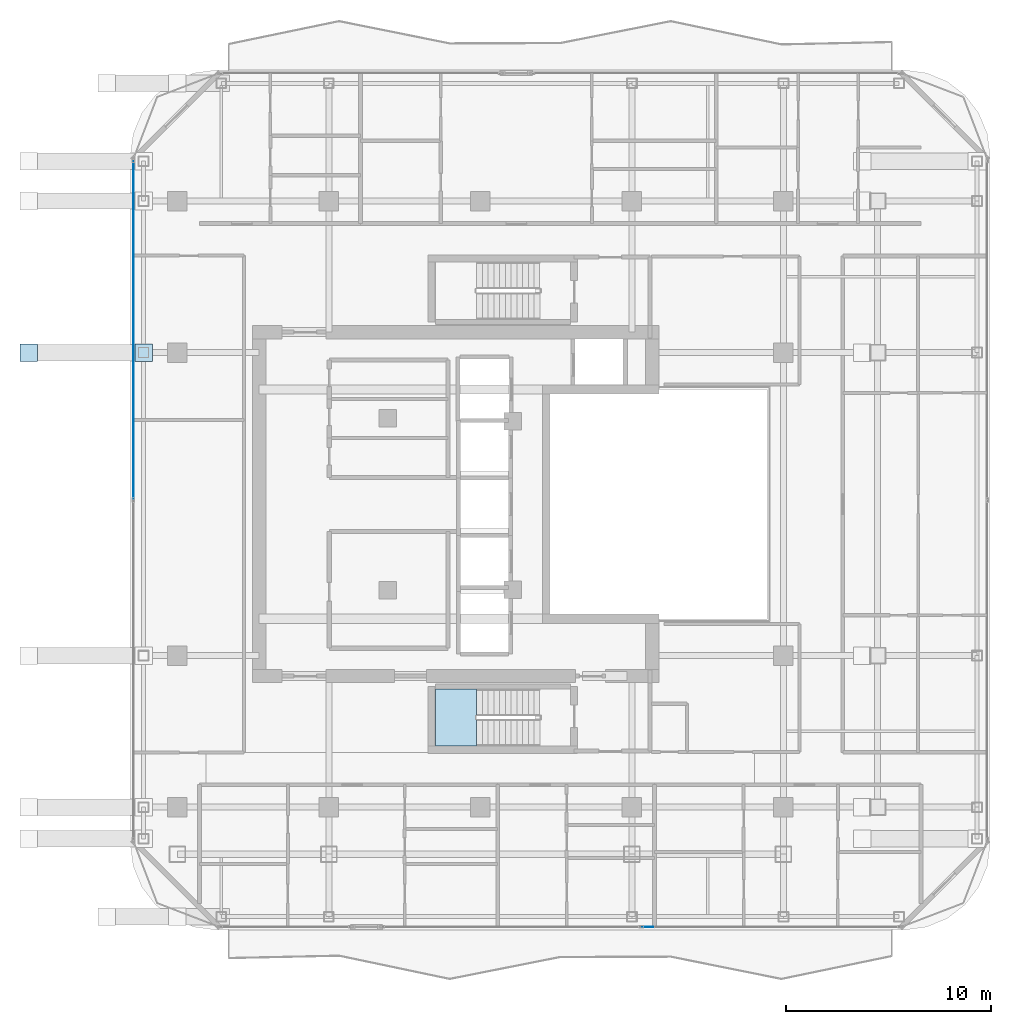
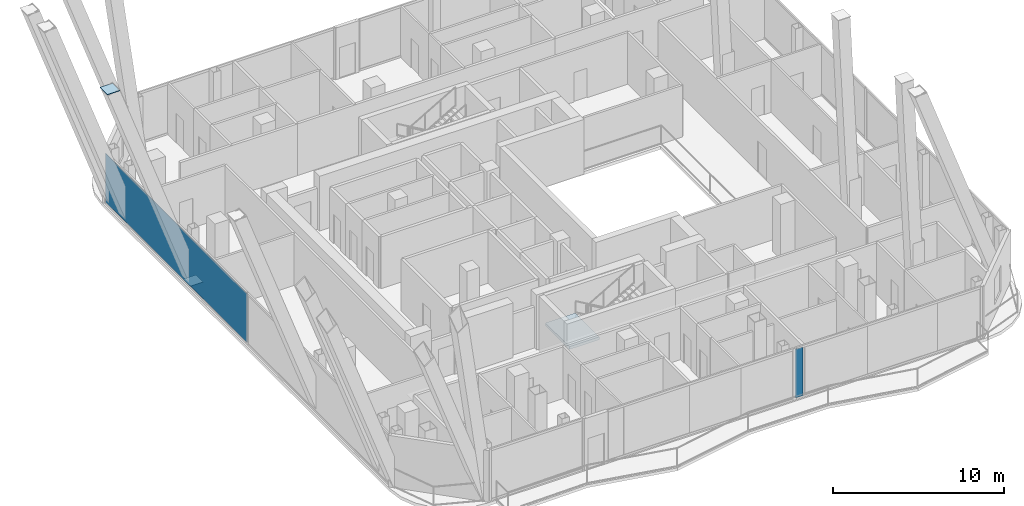
# One storey, part 19 of 27: 4 plates, 1 slab, 3 elements without a shape of their own.
"""IFC4 building model written with IfcOpenShell, lengths in metres."""

import ifcopenshell
import ifcopenshell.guid

model = None  # the IFC model being written
_history = None  # IfcOwnerHistory: only IFC2X3 demands one
_inside = {}  # id of a spatial element -> (the spatial element, [elements in it])
_under = {}  # id of a project, library or spatial element -> (it, [spatial elements below it])
_declared = {}  # id of a project -> (the project, [libraries it declares])
_typed = {}  # id of a type object -> (the type object, [elements of that type])
_made_of = {}  # id of a material, layer set ... -> (it, [elements and type objects made of it])


def new_model(schema):
    """Start an empty IFC model of exactly this schema.

    Asked for "IFC4X3", IfcOpenShell would pick the latest addendum, in which some entities
    have other attributes; the version numbers below select the first issue.
    IFC2X3 requires an IfcOwnerHistory on every rooted entity: one is made here for all.
    """
    global model, _history
    if schema == "IFC4X3":
        model = ifcopenshell.file(schema_version=(4, 3, 0, 0))
    else:
        model = ifcopenshell.file(schema=schema)
    _inside.clear()
    _under.clear()
    _declared.clear()
    _typed.clear()
    _made_of.clear()
    _history = None
    if model.schema == "IFC2X3":
        org = make("IfcOrganization", Name="unknown")
        user = make(
            "IfcPersonAndOrganization",
            ThePerson=make("IfcPerson", FamilyName="unknown"),
            TheOrganization=org,
        )
        app = make(
            "IfcApplication",
            ApplicationDeveloper=org,
            Version="unknown",
            ApplicationFullName="unknown",
            ApplicationIdentifier="unknown",
        )
        _history = make(
            "IfcOwnerHistory",
            OwningUser=user,
            OwningApplication=app,
            ChangeAction="ADDED",
            CreationDate=0,
        )
    return model


def make(cls, **values):
    """One entity of the class cls with the attributes given. An attribute that is None is left unset."""
    return model.create_entity(
        cls, **{name: value for name, value in values.items() if value is not None}
    )


def rooted(cls, **values):
    """An entity with a GlobalId (a new one), such as an element, a storey or a relation."""
    return make(cls, GlobalId=ifcopenshell.guid.new(), OwnerHistory=_history, **values)


def si_unit(unit_type, name, prefix=None):
    """IfcSIUnit, for example si_unit("LENGTHUNIT", "METRE", prefix="MILLI")."""
    return make("IfcSIUnit", UnitType=unit_type, Prefix=prefix, Name=name)


def assignment(units):
    """IfcUnitAssignment: the units of a project."""
    return None if units is None else make("IfcUnitAssignment", Units=units)


def point(xyz):
    """IfcCartesianPoint."""
    return None if xyz is None else make("IfcCartesianPoint", Coordinates=xyz)


def direction(xyz):
    """IfcDirection."""
    return None if xyz is None else make("IfcDirection", DirectionRatios=xyz)


def frame(location, z_axis=None, x_axis=None):
    """IfcAxis2Placement3D, a coordinate frame: its origin and axes. An axis left out is left unset."""
    return make(
        "IfcAxis2Placement3D",
        Location=point(location),
        Axis=direction(z_axis),
        RefDirection=direction(x_axis),
    )


def frame_2d(location, x_axis=None):
    """IfcAxis2Placement2D, a coordinate frame in the plane: its origin and x axis."""
    return make(
        "IfcAxis2Placement2D", Location=point(location), RefDirection=direction(x_axis)
    )


def origin():
    """The frame at (0, 0, 0) with its axes left unset."""
    return frame((0.0, 0.0, 0.0))


def origin_2d():
    """The frame at (0, 0) in the plane with its x axis left unset."""
    return frame_2d((0.0, 0.0))


def place(relative_to, where):
    """IfcLocalPlacement: puts the frame where relative to a parent placement (None: the world)."""
    return make(
        "IfcLocalPlacement", PlacementRelTo=relative_to, RelativePlacement=where
    )


def context(
    kind, dimensions, precision=None, world=None, true_north=None, identifier=None
):
    """IfcGeometricRepresentationContext, for example the 3D "Model" context."""
    return make(
        "IfcGeometricRepresentationContext",
        ContextIdentifier=identifier,
        ContextType=kind,
        CoordinateSpaceDimension=dimensions,
        Precision=precision,
        WorldCoordinateSystem=world,
        TrueNorth=true_north,
    )


def subcontext(parent, identifier, kind, view, scale=None):
    """IfcGeometricRepresentationSubContext, for example "Body" below "Model"."""
    return make(
        "IfcGeometricRepresentationSubContext",
        ContextIdentifier=identifier,
        ContextType=kind,
        ParentContext=parent,
        TargetScale=scale,
        TargetView=view,
    )


def project(units=None, contexts=None):
    """IfcProject with its units and contexts."""
    return rooted(
        "IfcProject",
        Name="project",
        RepresentationContexts=contexts,
        UnitsInContext=assignment(units),
    )


def spatial(cls, under=None, at=None, **own):
    """A site, building, storey or space (cls), placed at a placement, below another one or the project."""
    s = rooted(cls, ObjectPlacement=at, **own)
    if under is not None:
        _under.setdefault(under.id(), (under, []))[1].append(s)
    return s


def polyline(points):
    """IfcPolyline through the points."""
    return make("IfcPolyline", Points=[point(p) for p in points])


def profile(cls, at=None, kind="AREA", **sizes):
    """A parametric profile (cls). Its sizes go by their IFC names, for example OverallWidth=200.0."""
    return make(cls, ProfileType=kind, Position=at, **sizes)


def rectangle(**sizes):
    """IfcRectangleProfileDef."""
    return profile("IfcRectangleProfileDef", **sizes)


def outline(outer, holes=None, kind="AREA"):
    """IfcArbitraryClosedProfileDef: a profile drawn as a closed curve; with holes, ...WithVoids."""
    if holes is None:
        return make("IfcArbitraryClosedProfileDef", ProfileType=kind, OuterCurve=outer)
    return make(
        "IfcArbitraryProfileDefWithVoids",
        ProfileType=kind,
        OuterCurve=outer,
        InnerCurves=holes,
    )


def extrude(swept, where, along, depth):
    """IfcExtrudedAreaSolid: the profile swept, set in the frame where, extruded along a direction by depth."""
    return make(
        "IfcExtrudedAreaSolid",
        SweptArea=swept,
        Position=where,
        ExtrudedDirection=direction(along),
        Depth=depth,
    )


def shape(context_of_items, identifier, shape_type, items):
    """IfcShapeRepresentation: the items that make up one representation, for example the "Body"."""
    return make(
        "IfcShapeRepresentation",
        ContextOfItems=context_of_items,
        RepresentationIdentifier=identifier,
        RepresentationType=shape_type,
        Items=items,
    )


def material(Name=None, Category=None):
    """IfcMaterial."""
    return make("IfcMaterial", Name=Name, Category=Category)


def layer(
    of_material, thickness, ventilated=None, Name=None, Category=None, Priority=None
):
    """IfcMaterialLayer: one layer of a wall or slab, of a material (None: an air gap)."""
    return make(
        "IfcMaterialLayer",
        Material=of_material,
        LayerThickness=thickness,
        IsVentilated=ventilated,
        Name=Name,
        Category=Category,
        Priority=Priority,
    )


def layer_set(layers, Name=None):
    """IfcMaterialLayerSet."""
    return make("IfcMaterialLayerSet", MaterialLayers=layers, LayerSetName=Name)


def made_of(thing, what):
    """Note that an element or type object is made of a material, layer set ...; save() writes the relation."""
    if what is not None:
        _made_of.setdefault(what.id(), (what, []))[1].append(thing)
    return thing


def type_object(cls, material=None, **own):
    """A type object (cls), such as IfcWallType, which elements share."""
    return made_of(rooted(cls, **own), material)


def element(
    cls,
    number,
    at=None,
    inside=None,
    cuts=None,
    type_object=None,
    material=None,
    context=None,
    identifier="Body",
    shape_type=None,
    held_by="IfcProductDefinitionShape",
    body=None,
    shapes=None,
    **own,
):
    """One element of the class cls, such as IfcWall. Its Tag is "e" and its number.

    at: its placement. inside: the storey or other place that contains it. cuts: it is an
    opening in that element (IfcRelVoidsElement). A single representation is given by context,
    identifier, shape_type and body (its items); several are given by shapes. held_by: the class
    of the entity that holds the representations. save() writes the other relations.
    """
    e = rooted(cls, Tag="e%d" % number, ObjectPlacement=at, **own)
    if body is not None:
        shapes = [shape(context, identifier, shape_type, body)]
    if shapes is not None:
        e.Representation = make(held_by, Representations=shapes)
    if inside is not None:
        _inside.setdefault(inside.id(), (inside, []))[1].append(e)
    if cuts is not None:
        rooted(
            "IfcRelVoidsElement", RelatingBuildingElement=cuts, RelatedOpeningElement=e
        )
    if type_object is not None:
        _typed.setdefault(type_object.id(), (type_object, []))[1].append(e)
    return made_of(e, material)


def aggregate(whole, parts):
    """IfcRelAggregates: a whole, such as a stair, and the parts it consists of."""
    return rooted("IfcRelAggregates", RelatingObject=whole, RelatedObjects=parts)


def save(model, path):
    """Write the relations noted so far, then the file.

    IfcRelAggregates (storeys below a building ...), IfcRelContainedInSpatialStructure (elements
    in a storey), IfcRelDefinesByType, IfcRelAssociatesMaterial and IfcRelDeclares: one each for
    every whole, place, type object, material and project.
    """
    for whole, parts in _under.values():
        aggregate(whole, parts)
    for where, things in _inside.values():
        rooted(
            "IfcRelContainedInSpatialStructure",
            RelatedElements=things,
            RelatingStructure=where,
        )
    for kind, things in _typed.values():
        rooted("IfcRelDefinesByType", RelatedObjects=things, RelatingType=kind)
    for what, things in _made_of.values():
        rooted("IfcRelAssociatesMaterial", RelatedObjects=things, RelatingMaterial=what)
    for by, libraries in _declared.values():
        rooted("IfcRelDeclares", RelatingContext=by, RelatedDefinitions=libraries)
    model.write(path)


model = new_model("IFC4")

# Units and contexts
model_context = context("Model", 3, precision=1e-05, world=origin(), true_north=direction((0.0, 1.0)))
body_context = subcontext(model_context, "Body", "Model", "MODEL_VIEW")
ifc_project = project(units=[si_unit("LENGTHUNIT", "METRE"), si_unit("AREAUNIT", "SQUARE_METRE"), si_unit("VOLUMEUNIT", "CUBIC_METRE"), si_unit("PLANEANGLEUNIT", "RADIAN"), si_unit("MASSUNIT", "GRAM", prefix="KILO")], contexts=[model_context])

# Site, building, storey
site_placement = place(None, origin())
site = spatial("IfcSite", under=ifc_project, at=site_placement, CompositionType="ELEMENT")
building_placement = place(site_placement, origin())
building = spatial("IfcBuilding", under=site, at=building_placement, Name="Khorvyn Point Tower", CompositionType="ELEMENT")
storey_placement = place(building_placement, frame((0.0, 0.0, 270.300048828125)))
storey = spatial("IfcBuildingStorey", under=building, at=storey_placement, Name="L66", CompositionType="ELEMENT", Elevation=270.300048828125)

# Stair, slab
ifc_material_1 = material(Name="Concrete C40/50", Category="concrete")
stair_type = type_object("IfcStairType", Name="Tower Concrete C40/50 Dogleg Exit Stair", PredefinedType="HALF_TURN_STAIR", material=ifc_material_1)
stair_placement = place(storey_placement, origin())
stair = element("IfcStair", 1, at=stair_placement, inside=storey, type_object=stair_type, Name="L66 Tower Smokeproof Exit Stair South", PredefinedType="HALF_TURN_STAIR")
ifc_layer_1 = layer(ifc_material_1, 0.199951171875)
ifc_layer_set_1 = layer_set([ifc_layer_1], Name="Concrete C40/50 Stair Landing Slab 200")
slab_type = type_object("IfcSlabType", Name="Concrete C40/50 Stair Landing Slab 200", PredefinedType="LANDING", material=ifc_layer_set_1)
slab_placement = place(storey_placement, frame((0.0, 0.0, 1.75)))
slab = element("IfcSlab", 2, at=slab_placement, type_object=slab_type, Name="ST-01 landing 1", PredefinedType="LANDING", context=body_context, shape_type="SweptSolid", body=[
    extrude(outline(polyline([(-0.179931640625, -9.02001953125), (-2.199951171875, -9.02001953125), (-2.199951171875, -11.820068359375), (-0.179931640625, -11.820068359375), (-0.179931640625, -9.02001953125)])), origin(), (0.0, 0.0, 1.0), 0.199951171875),
])
aggregate(stair, [slab])

# Plates
ifc_material_2 = material(Name="Steel S450", Category="steel")
ifc_layer_2 = layer(ifc_material_2, 0.031982421875)
ifc_layer_set_2 = layer_set([ifc_layer_2], Name="Steel S450 Exoskeleton End Cap Plate 32")
plate_type_1 = type_object("IfcPlateType", Name="Steel S450 Exoskeleton End Cap Plate 32", PredefinedType="USERDEFINED", material=ifc_layer_set_2)
for number, where, z_axis, x_axis, name in (
    (3, (-16.446533203125, 7.39990234375, -0.025390625), (0.0, 0.0, 1.0), (1.0, 0.0, 0.0), "Plate"),
    (4, (-22.053466796875, 7.39990234375, 15.59326171875), (0.0, 0.0, 1.0), (1.0, 0.0, 0.0), "Plate"),
):
    element("IfcPlate", number, at=place(storey_placement, frame(where, z_axis=z_axis, x_axis=x_axis)), inside=storey, type_object=plate_type_1, Name=name, ObjectType="GUSSET", PredefinedType="USERDEFINED", context=body_context, shape_type="SweptSolid", body=[
        extrude(rectangle(XDim=0.860107421875, YDim=0.860107421875, at=origin_2d()), origin(), (0.0, 0.0, 1.0), 0.031982421875),
    ])

# Curtain wall, plate
ifc_material_3 = material(Name="Anodised aluminium 6063-T6 and laminated Low-E glass", Category="aluminium")
ifc_layer_3 = layer(ifc_material_3, 0.18994140625)
ifc_layer_set_3 = layer_set([ifc_layer_3], Name="Stick-Built High-Wind Curtain Wall CW-SYS-04")
curtain_wall_type = type_object("IfcCurtainWallType", Name="Stick-Built High-Wind Curtain Wall CW-SYS-04", PredefinedType="NOTDEFINED", material=ifc_layer_set_3)
curtain_wall_1_placement = place(storey_placement, origin())
curtain_wall_1 = element("IfcCurtainWall", 5, at=curtain_wall_1_placement, inside=storey, type_object=curtain_wall_type, Name="Curtain Wall", PredefinedType="NOTDEFINED")
ifc_material_4 = material(Name="Laminated Low-E insulated glass", Category="glass")
ifc_layer_4 = layer(ifc_material_4, 0.028076171875)
ifc_layer_set_4 = layer_set([ifc_layer_4], Name="Tempered Low-E Vision Glazing Panel CW-GL28")
plate_type_2 = type_object("IfcPlateType", Name="Tempered Low-E Vision Glazing Panel CW-GL28", PredefinedType="CURTAIN_PANEL", material=ifc_layer_set_4)
plate_1_placement = place(storey_placement, frame((8.17431640625, -20.64990234375, 0.099853515625), z_axis=(0.0, 0.0, 1.0), x_axis=(-1.0, 0.0, 0.0)))
plate_1 = element("IfcPlate", 6, at=plate_1_placement, type_object=plate_type_2, Name="Panel", PredefinedType="CURTAIN_PANEL", context=body_context, shape_type="SweptSolid", body=[
    extrude(rectangle(XDim=0.533447265625, YDim=0.028076171875, at=origin_2d()), origin(), (0.0, 0.0, 1.0), 3.47998046875),
])
aggregate(curtain_wall_1, [plate_1])

curtain_wall_2_placement = place(storey_placement, origin())
curtain_wall_2 = element("IfcCurtainWall", 7, at=curtain_wall_2_placement, inside=storey, type_object=curtain_wall_type, Name="Curtain Wall", PredefinedType="NOTDEFINED")
plate_2_placement = place(storey_placement, frame((-16.949951171875, 8.5, 0.099853515625), z_axis=(0.0, 0.0, 1.0), x_axis=(0.0, 1.0, 0.0)))
plate_2 = element("IfcPlate", 8, at=plate_2_placement, type_object=plate_type_2, Name="Panel", PredefinedType="CURTAIN_PANEL", context=body_context, shape_type="SweptSolid", body=[
    extrude(rectangle(XDim=16.5, YDim=0.028076171875, at=origin_2d()), origin(), (0.0, 0.0, 1.0), 3.47998046875),
])
aggregate(curtain_wall_2, [plate_2])

save(model, "model.ifc")
